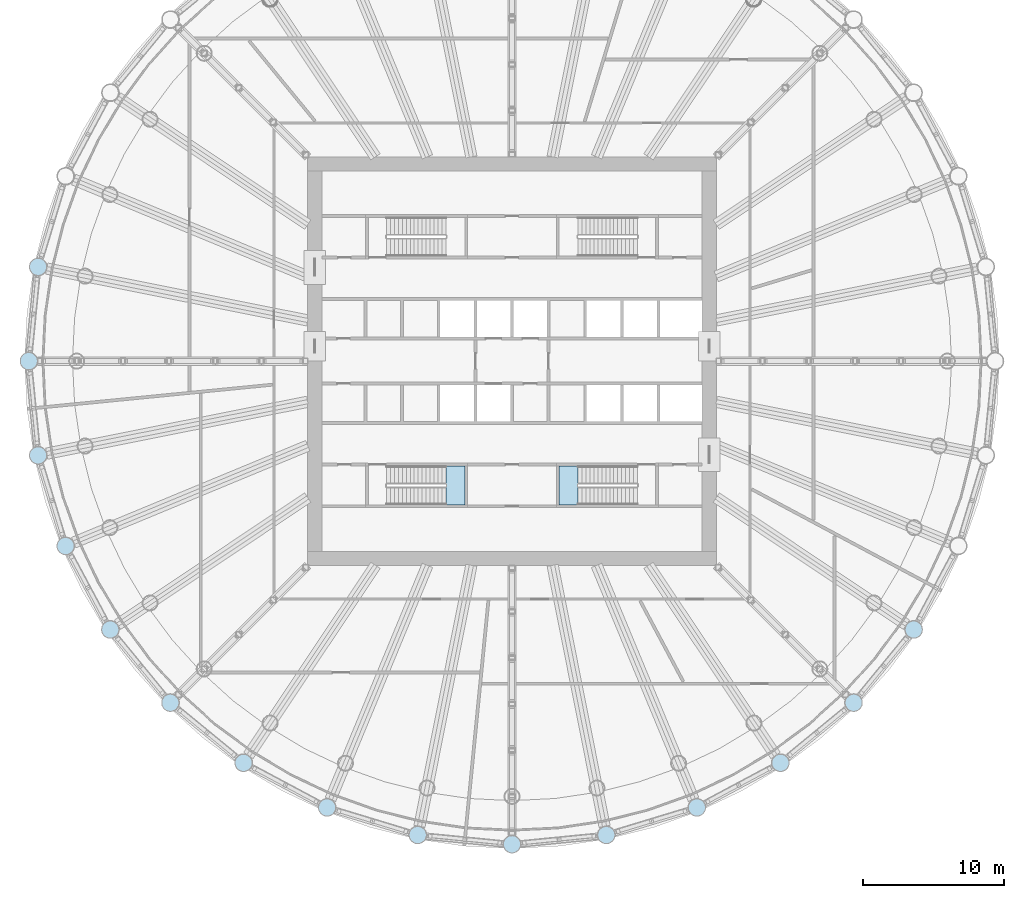
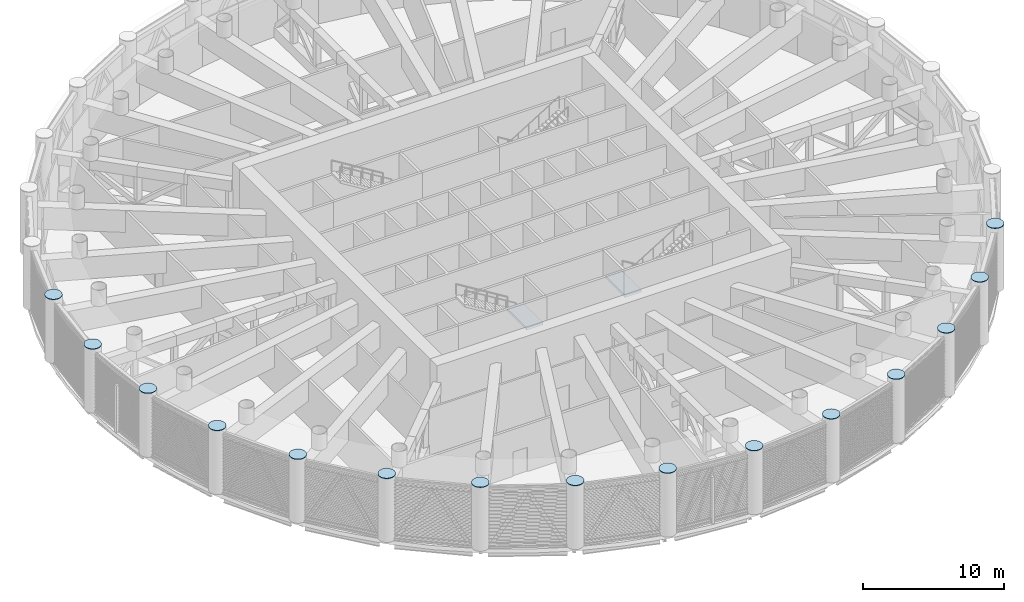
# One storey, part 9 of 29: 15 plates, 2 slabs, 2 elements without a shape of their own.
"""IFC4 building model written with IfcOpenShell, lengths in metres."""

from ifc_helpers import new_model, si_unit, direction, frame, origin, place, context, subcontext, project, spatial, polyline, outline, extrude, material, layer, layer_set, type_object, element, aggregate, save


model = new_model("IFC4")

# Units and contexts
model_context = context("Model", 3, precision=1e-05, world=origin(), true_north=direction((0.0, 1.0)))
body_context = subcontext(model_context, "Body", "Model", "MODEL_VIEW")
ifc_project = project(units=[si_unit("LENGTHUNIT", "METRE"), si_unit("AREAUNIT", "SQUARE_METRE"), si_unit("VOLUMEUNIT", "CUBIC_METRE"), si_unit("PLANEANGLEUNIT", "RADIAN"), si_unit("MASSUNIT", "GRAM", prefix="KILO")], contexts=[model_context])

# Site, building, storey
site_placement = place(None, origin())
site = spatial("IfcSite", under=ifc_project, at=site_placement, CompositionType="ELEMENT")
building_placement = place(site_placement, origin())
building = spatial("IfcBuilding", under=site, at=building_placement, Name="Corvane Civic Tower", CompositionType="ELEMENT")
storey_placement = place(building_placement, frame((0.0, 0.0, 138.5)))
storey = spatial("IfcBuildingStorey", under=building, at=storey_placement, Name="L32", CompositionType="ELEMENT", Elevation=138.5)

# Plates
ifc_material_1 = material(Name="Steel ASTM A572 Gr 50", Category="steel")
ifc_layer_1 = layer(ifc_material_1, 0.050048828125)
ifc_layer_set_1 = layer_set([ifc_layer_1], Name="Steel ASTM A572 Gr 50")
plate_type = type_object("IfcPlateType", Name="COLUMN CAP PLATE 50", PredefinedType="SHEET", material=ifc_layer_set_1)
plate_1_placement = place(storey_placement, frame((0.0, 0.0, 5.5)))
element("IfcPlate", 1, at=plate_1_placement, inside=storey, type_object=plate_type, Name="PL-L32-cap-B12", PredefinedType="SHEET", context=body_context, shape_type="SweptSolid", body=[
    extrude(outline(polyline([(29.144287109375, -19.05615234375), (29.138916015625, -18.974609375), (29.123046875, -18.894287109375), (29.0966796875, -18.81689453125), (29.060546875, -18.74365234375), (29.01513671875, -18.67578125), (28.961181640625, -18.6142578125), (28.89990234375, -18.560302734375), (28.831787109375, -18.514892578125), (28.758544921875, -18.478759765625), (28.680908203125, -18.452392578125), (28.600830078125, -18.4365234375), (28.519287109375, -18.43115234375), (28.437744140625, -18.4365234375), (28.357421875, -18.452392578125), (28.280029296875, -18.478759765625), (28.206787109375, -18.514892578125), (28.138916015625, -18.560302734375), (28.077392578125, -18.6142578125), (28.0234375, -18.67578125), (27.97802734375, -18.74365234375), (27.94189453125, -18.81689453125), (27.91552734375, -18.894287109375), (27.899658203125, -18.974609375), (27.894287109375, -19.05615234375), (27.899658203125, -19.1376953125), (27.91552734375, -19.218017578125), (27.94189453125, -19.29541015625), (27.97802734375, -19.36865234375), (28.0234375, -19.4365234375), (28.077392578125, -19.498046875), (28.138916015625, -19.552001953125), (28.206787109375, -19.597412109375), (28.280029296875, -19.633544921875), (28.357421875, -19.659912109375), (28.437744140625, -19.67578125), (28.519287109375, -19.68115234375), (28.600830078125, -19.67578125), (28.680908203125, -19.659912109375), (28.758544921875, -19.633544921875), (28.831787109375, -19.597412109375), (28.89990234375, -19.552001953125), (28.961181640625, -19.498046875), (29.01513671875, -19.4365234375), (29.060546875, -19.36865234375), (29.0966796875, -19.29541015625), (29.123046875, -19.218017578125), (29.138916015625, -19.1376953125), (29.144287109375, -19.05615234375)])), origin(), (0.0, 0.0, 1.0), 0.050048828125),
])
plate_2_placement = place(storey_placement, frame((0.0, 0.0, 5.5)))
element("IfcPlate", 2, at=plate_2_placement, inside=storey, type_object=plate_type, Name="PL-L32-cap-B13", PredefinedType="SHEET", context=body_context, shape_type="SweptSolid", body=[
    extrude(outline(polyline([(24.878662109375, -24.253662109375), (24.873291015625, -24.172119140625), (24.857421875, -24.091796875), (24.8310546875, -24.014404296875), (24.794921875, -23.941162109375), (24.74951171875, -23.873291015625), (24.695556640625, -23.811767578125), (24.634033203125, -23.7578125), (24.566162109375, -23.71240234375), (24.492919921875, -23.67626953125), (24.415283203125, -23.64990234375), (24.335205078125, -23.634033203125), (24.253662109375, -23.628662109375), (24.172119140625, -23.634033203125), (24.091796875, -23.64990234375), (24.014404296875, -23.67626953125), (23.941162109375, -23.71240234375), (23.873291015625, -23.7578125), (23.811767578125, -23.811767578125), (23.7578125, -23.873291015625), (23.71240234375, -23.941162109375), (23.67626953125, -24.014404296875), (23.64990234375, -24.091796875), (23.634033203125, -24.172119140625), (23.628662109375, -24.253662109375), (23.634033203125, -24.335205078125), (23.64990234375, -24.415283203125), (23.67626953125, -24.492919921875), (23.71240234375, -24.566162109375), (23.7578125, -24.634033203125), (23.811767578125, -24.695556640625), (23.873291015625, -24.74951171875), (23.941162109375, -24.794921875), (24.014404296875, -24.8310546875), (24.091796875, -24.857421875), (24.172119140625, -24.873291015625), (24.253662109375, -24.878662109375), (24.335205078125, -24.873291015625), (24.415283203125, -24.857421875), (24.492919921875, -24.8310546875), (24.566162109375, -24.794921875), (24.634033203125, -24.74951171875), (24.695556640625, -24.695556640625), (24.74951171875, -24.634033203125), (24.794921875, -24.566162109375), (24.8310546875, -24.492919921875), (24.857421875, -24.415283203125), (24.873291015625, -24.335205078125), (24.878662109375, -24.253662109375)])), origin(), (0.0, 0.0, 1.0), 0.050048828125),
])
plate_3_placement = place(storey_placement, frame((0.0, 0.0, 5.5)))
element("IfcPlate", 3, at=plate_3_placement, inside=storey, type_object=plate_type, Name="PL-L32-cap-B14", PredefinedType="SHEET", context=body_context, shape_type="SweptSolid", body=[
    extrude(outline(polyline([(19.68115234375, -28.519287109375), (19.67578125, -28.437744140625), (19.659912109375, -28.357421875), (19.633544921875, -28.280029296875), (19.597412109375, -28.206787109375), (19.552001953125, -28.138916015625), (19.498046875, -28.077392578125), (19.4365234375, -28.0234375), (19.36865234375, -27.97802734375), (19.29541015625, -27.94189453125), (19.218017578125, -27.91552734375), (19.1376953125, -27.899658203125), (19.05615234375, -27.894287109375), (18.974609375, -27.899658203125), (18.894287109375, -27.91552734375), (18.81689453125, -27.94189453125), (18.74365234375, -27.97802734375), (18.67578125, -28.0234375), (18.6142578125, -28.077392578125), (18.560302734375, -28.138916015625), (18.514892578125, -28.206787109375), (18.478759765625, -28.280029296875), (18.452392578125, -28.357421875), (18.4365234375, -28.437744140625), (18.43115234375, -28.519287109375), (18.4365234375, -28.600830078125), (18.452392578125, -28.680908203125), (18.478759765625, -28.758544921875), (18.514892578125, -28.831787109375), (18.560302734375, -28.89990234375), (18.6142578125, -28.961181640625), (18.67578125, -29.01513671875), (18.74365234375, -29.060546875), (18.81689453125, -29.0966796875), (18.894287109375, -29.123046875), (18.974609375, -29.138916015625), (19.05615234375, -29.144287109375), (19.1376953125, -29.138916015625), (19.218017578125, -29.123046875), (19.29541015625, -29.0966796875), (19.36865234375, -29.060546875), (19.4365234375, -29.01513671875), (19.498046875, -28.961181640625), (19.552001953125, -28.89990234375), (19.597412109375, -28.831787109375), (19.633544921875, -28.758544921875), (19.659912109375, -28.680908203125), (19.67578125, -28.600830078125), (19.68115234375, -28.519287109375)])), origin(), (0.0, 0.0, 1.0), 0.050048828125),
])
plate_4_placement = place(storey_placement, frame((0.0, 0.0, 5.5)))
element("IfcPlate", 4, at=plate_4_placement, inside=storey, type_object=plate_type, Name="PL-L32-cap-B15", PredefinedType="SHEET", context=body_context, shape_type="SweptSolid", body=[
    extrude(outline(polyline([(13.7509765625, -31.68896484375), (13.74560546875, -31.607421875), (13.729736328125, -31.527099609375), (13.703369140625, -31.44970703125), (13.667236328125, -31.37646484375), (13.621826171875, -31.30859375), (13.56787109375, -31.2470703125), (13.506591796875, -31.193115234375), (13.4384765625, -31.147705078125), (13.365234375, -31.111572265625), (13.28759765625, -31.085205078125), (13.20751953125, -31.0693359375), (13.1259765625, -31.06396484375), (13.04443359375, -31.0693359375), (12.964111328125, -31.085205078125), (12.88671875, -31.111572265625), (12.8134765625, -31.147705078125), (12.74560546875, -31.193115234375), (12.68408203125, -31.2470703125), (12.630126953125, -31.30859375), (12.584716796875, -31.37646484375), (12.548583984375, -31.44970703125), (12.522216796875, -31.527099609375), (12.50634765625, -31.607421875), (12.5009765625, -31.68896484375), (12.50634765625, -31.7705078125), (12.522216796875, -31.8505859375), (12.548583984375, -31.927978515625), (12.584716796875, -32.00146484375), (12.630126953125, -32.0693359375), (12.68408203125, -32.130859375), (12.74560546875, -32.184814453125), (12.8134765625, -32.230224609375), (12.88671875, -32.266357421875), (12.964111328125, -32.292724609375), (13.04443359375, -32.30859375), (13.1259765625, -32.31396484375), (13.20751953125, -32.30859375), (13.28759765625, -32.292724609375), (13.365234375, -32.266357421875), (13.4384765625, -32.230224609375), (13.506591796875, -32.184814453125), (13.56787109375, -32.130859375), (13.621826171875, -32.0693359375), (13.667236328125, -32.00146484375), (13.703369140625, -31.927978515625), (13.729736328125, -31.8505859375), (13.74560546875, -31.7705078125), (13.7509765625, -31.68896484375)])), origin(), (0.0, 0.0, 1.0), 0.050048828125),
])
plate_5_placement = place(storey_placement, frame((0.0, 0.0, 5.5)))
element("IfcPlate", 5, at=plate_5_placement, inside=storey, type_object=plate_type, Name="PL-L32-cap-B16", PredefinedType="SHEET", context=body_context, shape_type="SweptSolid", body=[
    extrude(outline(polyline([(7.316650390625, -33.640869140625), (7.311279296875, -33.559326171875), (7.29541015625, -33.47900390625), (7.26904296875, -33.401611328125), (7.23291015625, -33.328369140625), (7.1875, -33.260498046875), (7.133544921875, -33.198974609375), (7.072021484375, -33.14501953125), (7.004150390625, -33.099609375), (6.930908203125, -33.0634765625), (6.853515625, -33.037109375), (6.773193359375, -33.021240234375), (6.691650390625, -33.015869140625), (6.610107421875, -33.021240234375), (6.52978515625, -33.037109375), (6.452392578125, -33.0634765625), (6.379150390625, -33.099609375), (6.311279296875, -33.14501953125), (6.249755859375, -33.198974609375), (6.19580078125, -33.260498046875), (6.150390625, -33.328369140625), (6.1142578125, -33.401611328125), (6.087890625, -33.47900390625), (6.072021484375, -33.559326171875), (6.066650390625, -33.640869140625), (6.072021484375, -33.722412109375), (6.087890625, -33.802490234375), (6.1142578125, -33.8798828125), (6.150390625, -33.953369140625), (6.19580078125, -34.021240234375), (6.249755859375, -34.082763671875), (6.311279296875, -34.13671875), (6.379150390625, -34.18212890625), (6.452392578125, -34.21826171875), (6.52978515625, -34.24462890625), (6.610107421875, -34.260498046875), (6.691650390625, -34.265869140625), (6.773193359375, -34.260498046875), (6.853515625, -34.24462890625), (6.930908203125, -34.21826171875), (7.004150390625, -34.18212890625), (7.072021484375, -34.13671875), (7.133544921875, -34.082763671875), (7.1875, -34.021240234375), (7.23291015625, -33.953369140625), (7.26904296875, -33.8798828125), (7.29541015625, -33.802490234375), (7.311279296875, -33.722412109375), (7.316650390625, -33.640869140625)])), origin(), (0.0, 0.0, 1.0), 0.050048828125),
])
plate_6_placement = place(storey_placement, frame((0.0, 0.0, 5.5)))
element("IfcPlate", 6, at=plate_6_placement, inside=storey, type_object=plate_type, Name="PL-L32-cap-B17", PredefinedType="SHEET", context=body_context, shape_type="SweptSolid", body=[
    extrude(outline(polyline([(0.625, -34.300048828125), (0.61962890625, -34.218505859375), (0.603759765625, -34.13818359375), (0.577392578125, -34.060791015625), (0.541259765625, -33.987548828125), (0.495849609375, -33.919677734375), (0.44189453125, -33.858154296875), (0.380615234375, -33.80419921875), (0.3125, -33.7587890625), (0.2392578125, -33.72265625), (0.161865234375, -33.6962890625), (0.08154296875, -33.680419921875), (0.0, -33.675048828125), (-0.08154296875, -33.680419921875), (-0.161865234375, -33.6962890625), (-0.2392578125, -33.72265625), (-0.3125, -33.7587890625), (-0.380615234375, -33.80419921875), (-0.44189453125, -33.858154296875), (-0.495849609375, -33.919677734375), (-0.541259765625, -33.987548828125), (-0.577392578125, -34.060791015625), (-0.603759765625, -34.13818359375), (-0.61962890625, -34.218505859375), (-0.625, -34.300048828125), (-0.61962890625, -34.381591796875), (-0.603759765625, -34.4619140625), (-0.577392578125, -34.539306640625), (-0.541259765625, -34.612548828125), (-0.495849609375, -34.680419921875), (-0.44189453125, -34.741943359375), (-0.380615234375, -34.7958984375), (-0.3125, -34.84130859375), (-0.2392578125, -34.87744140625), (-0.161865234375, -34.90380859375), (-0.08154296875, -34.919677734375), (0.0, -34.925048828125), (0.08154296875, -34.919677734375), (0.161865234375, -34.90380859375), (0.2392578125, -34.87744140625), (0.3125, -34.84130859375), (0.380615234375, -34.7958984375), (0.44189453125, -34.741943359375), (0.495849609375, -34.680419921875), (0.541259765625, -34.612548828125), (0.577392578125, -34.539306640625), (0.603759765625, -34.4619140625), (0.61962890625, -34.381591796875), (0.625, -34.300048828125)])), origin(), (0.0, 0.0, 1.0), 0.050048828125),
])
plate_7_placement = place(storey_placement, frame((0.0, 0.0, 5.5)))
element("IfcPlate", 7, at=plate_7_placement, inside=storey, type_object=plate_type, Name="PL-L32-cap-B18", PredefinedType="SHEET", context=body_context, shape_type="SweptSolid", body=[
    extrude(outline(polyline([(-6.066650390625, -33.640869140625), (-6.072021484375, -33.559326171875), (-6.087890625, -33.47900390625), (-6.1142578125, -33.401611328125), (-6.150390625, -33.328369140625), (-6.19580078125, -33.260498046875), (-6.249755859375, -33.198974609375), (-6.311279296875, -33.14501953125), (-6.379150390625, -33.099609375), (-6.452392578125, -33.0634765625), (-6.52978515625, -33.037109375), (-6.610107421875, -33.021240234375), (-6.691650390625, -33.015869140625), (-6.773193359375, -33.021240234375), (-6.853515625, -33.037109375), (-6.930908203125, -33.0634765625), (-7.004150390625, -33.099609375), (-7.072021484375, -33.14501953125), (-7.133544921875, -33.198974609375), (-7.1875, -33.260498046875), (-7.23291015625, -33.328369140625), (-7.26904296875, -33.401611328125), (-7.29541015625, -33.47900390625), (-7.311279296875, -33.559326171875), (-7.316650390625, -33.640869140625), (-7.311279296875, -33.722412109375), (-7.29541015625, -33.802490234375), (-7.26904296875, -33.8798828125), (-7.23291015625, -33.953369140625), (-7.1875, -34.021240234375), (-7.133544921875, -34.082763671875), (-7.072021484375, -34.13671875), (-7.004150390625, -34.18212890625), (-6.930908203125, -34.21826171875), (-6.853515625, -34.24462890625), (-6.773193359375, -34.260498046875), (-6.691650390625, -34.265869140625), (-6.610107421875, -34.260498046875), (-6.52978515625, -34.24462890625), (-6.452392578125, -34.21826171875), (-6.379150390625, -34.18212890625), (-6.311279296875, -34.13671875), (-6.249755859375, -34.082763671875), (-6.19580078125, -34.021240234375), (-6.150390625, -33.953369140625), (-6.1142578125, -33.8798828125), (-6.087890625, -33.802490234375), (-6.072021484375, -33.722412109375), (-6.066650390625, -33.640869140625)])), origin(), (0.0, 0.0, 1.0), 0.050048828125),
])
plate_8_placement = place(storey_placement, frame((0.0, 0.0, 5.5)))
element("IfcPlate", 8, at=plate_8_placement, inside=storey, type_object=plate_type, Name="PL-L32-cap-B19", PredefinedType="SHEET", context=body_context, shape_type="SweptSolid", body=[
    extrude(outline(polyline([(-12.5009765625, -31.68896484375), (-12.50634765625, -31.607421875), (-12.522216796875, -31.527099609375), (-12.548583984375, -31.44970703125), (-12.584716796875, -31.37646484375), (-12.630126953125, -31.30859375), (-12.68408203125, -31.2470703125), (-12.74560546875, -31.193115234375), (-12.8134765625, -31.147705078125), (-12.88671875, -31.111572265625), (-12.964111328125, -31.085205078125), (-13.04443359375, -31.0693359375), (-13.1259765625, -31.06396484375), (-13.20751953125, -31.0693359375), (-13.28759765625, -31.085205078125), (-13.365234375, -31.111572265625), (-13.4384765625, -31.147705078125), (-13.506591796875, -31.193115234375), (-13.56787109375, -31.2470703125), (-13.621826171875, -31.30859375), (-13.667236328125, -31.37646484375), (-13.703369140625, -31.44970703125), (-13.729736328125, -31.527099609375), (-13.74560546875, -31.607421875), (-13.7509765625, -31.68896484375), (-13.74560546875, -31.7705078125), (-13.729736328125, -31.8505859375), (-13.703369140625, -31.927978515625), (-13.667236328125, -32.00146484375), (-13.621826171875, -32.0693359375), (-13.56787109375, -32.130859375), (-13.506591796875, -32.184814453125), (-13.4384765625, -32.230224609375), (-13.365234375, -32.266357421875), (-13.28759765625, -32.292724609375), (-13.20751953125, -32.30859375), (-13.1259765625, -32.31396484375), (-13.04443359375, -32.30859375), (-12.964111328125, -32.292724609375), (-12.88671875, -32.266357421875), (-12.8134765625, -32.230224609375), (-12.74560546875, -32.184814453125), (-12.68408203125, -32.130859375), (-12.630126953125, -32.0693359375), (-12.584716796875, -32.00146484375), (-12.548583984375, -31.927978515625), (-12.522216796875, -31.8505859375), (-12.50634765625, -31.7705078125), (-12.5009765625, -31.68896484375)])), origin(), (0.0, 0.0, 1.0), 0.050048828125),
])
plate_9_placement = place(storey_placement, frame((0.0, 0.0, 5.5)))
element("IfcPlate", 9, at=plate_9_placement, inside=storey, type_object=plate_type, Name="PL-L32-cap-B20", PredefinedType="SHEET", context=body_context, shape_type="SweptSolid", body=[
    extrude(outline(polyline([(-18.43115234375, -28.519287109375), (-18.4365234375, -28.437744140625), (-18.452392578125, -28.357421875), (-18.478759765625, -28.280029296875), (-18.514892578125, -28.206787109375), (-18.560302734375, -28.138916015625), (-18.6142578125, -28.077392578125), (-18.67578125, -28.0234375), (-18.74365234375, -27.97802734375), (-18.81689453125, -27.94189453125), (-18.894287109375, -27.91552734375), (-18.974609375, -27.899658203125), (-19.05615234375, -27.894287109375), (-19.1376953125, -27.899658203125), (-19.218017578125, -27.91552734375), (-19.29541015625, -27.94189453125), (-19.36865234375, -27.97802734375), (-19.4365234375, -28.0234375), (-19.498046875, -28.077392578125), (-19.552001953125, -28.138916015625), (-19.597412109375, -28.206787109375), (-19.633544921875, -28.280029296875), (-19.659912109375, -28.357421875), (-19.67578125, -28.437744140625), (-19.68115234375, -28.519287109375), (-19.67578125, -28.600830078125), (-19.659912109375, -28.680908203125), (-19.633544921875, -28.758544921875), (-19.597412109375, -28.831787109375), (-19.552001953125, -28.89990234375), (-19.498046875, -28.961181640625), (-19.4365234375, -29.01513671875), (-19.36865234375, -29.060546875), (-19.29541015625, -29.0966796875), (-19.218017578125, -29.123046875), (-19.1376953125, -29.138916015625), (-19.05615234375, -29.144287109375), (-18.974609375, -29.138916015625), (-18.894287109375, -29.123046875), (-18.81689453125, -29.0966796875), (-18.74365234375, -29.060546875), (-18.67578125, -29.01513671875), (-18.6142578125, -28.961181640625), (-18.560302734375, -28.89990234375), (-18.514892578125, -28.831787109375), (-18.478759765625, -28.758544921875), (-18.452392578125, -28.680908203125), (-18.4365234375, -28.600830078125), (-18.43115234375, -28.519287109375)])), origin(), (0.0, 0.0, 1.0), 0.050048828125),
])
plate_10_placement = place(storey_placement, frame((0.0, 0.0, 5.5)))
element("IfcPlate", 10, at=plate_10_placement, inside=storey, type_object=plate_type, Name="PL-L32-cap-B21", PredefinedType="SHEET", context=body_context, shape_type="SweptSolid", body=[
    extrude(outline(polyline([(-23.628662109375, -24.253662109375), (-23.634033203125, -24.172119140625), (-23.64990234375, -24.091796875), (-23.67626953125, -24.014404296875), (-23.71240234375, -23.941162109375), (-23.7578125, -23.873291015625), (-23.811767578125, -23.811767578125), (-23.873291015625, -23.7578125), (-23.941162109375, -23.71240234375), (-24.014404296875, -23.67626953125), (-24.091796875, -23.64990234375), (-24.172119140625, -23.634033203125), (-24.253662109375, -23.628662109375), (-24.335205078125, -23.634033203125), (-24.415283203125, -23.64990234375), (-24.492919921875, -23.67626953125), (-24.566162109375, -23.71240234375), (-24.634033203125, -23.7578125), (-24.695556640625, -23.811767578125), (-24.74951171875, -23.873291015625), (-24.794921875, -23.941162109375), (-24.8310546875, -24.014404296875), (-24.857421875, -24.091796875), (-24.873291015625, -24.172119140625), (-24.878662109375, -24.253662109375), (-24.873291015625, -24.335205078125), (-24.857421875, -24.415283203125), (-24.8310546875, -24.492919921875), (-24.794921875, -24.566162109375), (-24.74951171875, -24.634033203125), (-24.695556640625, -24.695556640625), (-24.634033203125, -24.74951171875), (-24.566162109375, -24.794921875), (-24.492919921875, -24.8310546875), (-24.415283203125, -24.857421875), (-24.335205078125, -24.873291015625), (-24.253662109375, -24.878662109375), (-24.172119140625, -24.873291015625), (-24.091796875, -24.857421875), (-24.014404296875, -24.8310546875), (-23.941162109375, -24.794921875), (-23.873291015625, -24.74951171875), (-23.811767578125, -24.695556640625), (-23.7578125, -24.634033203125), (-23.71240234375, -24.566162109375), (-23.67626953125, -24.492919921875), (-23.64990234375, -24.415283203125), (-23.634033203125, -24.335205078125), (-23.628662109375, -24.253662109375)])), origin(), (0.0, 0.0, 1.0), 0.050048828125),
])
plate_11_placement = place(storey_placement, frame((0.0, 0.0, 5.5)))
element("IfcPlate", 11, at=plate_11_placement, inside=storey, type_object=plate_type, Name="PL-L32-cap-B22", PredefinedType="SHEET", context=body_context, shape_type="SweptSolid", body=[
    extrude(outline(polyline([(-27.894287109375, -19.05615234375), (-27.899658203125, -18.974609375), (-27.91552734375, -18.894287109375), (-27.94189453125, -18.81689453125), (-27.97802734375, -18.74365234375), (-28.0234375, -18.67578125), (-28.077392578125, -18.6142578125), (-28.138916015625, -18.560302734375), (-28.206787109375, -18.514892578125), (-28.280029296875, -18.478759765625), (-28.357421875, -18.452392578125), (-28.437744140625, -18.4365234375), (-28.519287109375, -18.43115234375), (-28.600830078125, -18.4365234375), (-28.680908203125, -18.452392578125), (-28.758544921875, -18.478759765625), (-28.831787109375, -18.514892578125), (-28.89990234375, -18.560302734375), (-28.961181640625, -18.6142578125), (-29.01513671875, -18.67578125), (-29.060546875, -18.74365234375), (-29.0966796875, -18.81689453125), (-29.123046875, -18.894287109375), (-29.138916015625, -18.974609375), (-29.144287109375, -19.05615234375), (-29.138916015625, -19.1376953125), (-29.123046875, -19.218017578125), (-29.0966796875, -19.29541015625), (-29.060546875, -19.36865234375), (-29.01513671875, -19.4365234375), (-28.961181640625, -19.498046875), (-28.89990234375, -19.552001953125), (-28.831787109375, -19.597412109375), (-28.758544921875, -19.633544921875), (-28.680908203125, -19.659912109375), (-28.600830078125, -19.67578125), (-28.519287109375, -19.68115234375), (-28.437744140625, -19.67578125), (-28.357421875, -19.659912109375), (-28.280029296875, -19.633544921875), (-28.206787109375, -19.597412109375), (-28.138916015625, -19.552001953125), (-28.077392578125, -19.498046875), (-28.0234375, -19.4365234375), (-27.97802734375, -19.36865234375), (-27.94189453125, -19.29541015625), (-27.91552734375, -19.218017578125), (-27.899658203125, -19.1376953125), (-27.894287109375, -19.05615234375)])), origin(), (0.0, 0.0, 1.0), 0.050048828125),
])
plate_12_placement = place(storey_placement, frame((0.0, 0.0, 5.5)))
element("IfcPlate", 12, at=plate_12_placement, inside=storey, type_object=plate_type, Name="PL-L32-cap-B23", PredefinedType="SHEET", context=body_context, shape_type="SweptSolid", body=[
    extrude(outline(polyline([(-31.06396484375, -13.1259765625), (-31.0693359375, -13.04443359375), (-31.085205078125, -12.964111328125), (-31.111572265625, -12.88671875), (-31.147705078125, -12.8134765625), (-31.193115234375, -12.74560546875), (-31.2470703125, -12.68408203125), (-31.30859375, -12.630126953125), (-31.37646484375, -12.584716796875), (-31.44970703125, -12.548583984375), (-31.527099609375, -12.522216796875), (-31.607421875, -12.50634765625), (-31.68896484375, -12.5009765625), (-31.7705078125, -12.50634765625), (-31.8505859375, -12.522216796875), (-31.927978515625, -12.548583984375), (-32.00146484375, -12.584716796875), (-32.0693359375, -12.630126953125), (-32.130859375, -12.68408203125), (-32.184814453125, -12.74560546875), (-32.230224609375, -12.8134765625), (-32.266357421875, -12.88671875), (-32.292724609375, -12.964111328125), (-32.30859375, -13.04443359375), (-32.31396484375, -13.1259765625), (-32.30859375, -13.20751953125), (-32.292724609375, -13.28759765625), (-32.266357421875, -13.365234375), (-32.230224609375, -13.4384765625), (-32.184814453125, -13.506591796875), (-32.130859375, -13.56787109375), (-32.0693359375, -13.621826171875), (-32.00146484375, -13.667236328125), (-31.927978515625, -13.703369140625), (-31.8505859375, -13.729736328125), (-31.7705078125, -13.74560546875), (-31.68896484375, -13.7509765625), (-31.607421875, -13.74560546875), (-31.527099609375, -13.729736328125), (-31.44970703125, -13.703369140625), (-31.37646484375, -13.667236328125), (-31.30859375, -13.621826171875), (-31.2470703125, -13.56787109375), (-31.193115234375, -13.506591796875), (-31.147705078125, -13.4384765625), (-31.111572265625, -13.365234375), (-31.085205078125, -13.28759765625), (-31.0693359375, -13.20751953125), (-31.06396484375, -13.1259765625)])), origin(), (0.0, 0.0, 1.0), 0.050048828125),
])
plate_13_placement = place(storey_placement, frame((0.0, 0.0, 5.5)))
element("IfcPlate", 13, at=plate_13_placement, inside=storey, type_object=plate_type, Name="PL-L32-cap-B24", PredefinedType="SHEET", context=body_context, shape_type="SweptSolid", body=[
    extrude(outline(polyline([(-33.015869140625, -6.691650390625), (-33.021240234375, -6.610107421875), (-33.037109375, -6.52978515625), (-33.0634765625, -6.452392578125), (-33.099609375, -6.379150390625), (-33.14501953125, -6.311279296875), (-33.198974609375, -6.249755859375), (-33.260498046875, -6.19580078125), (-33.328369140625, -6.150390625), (-33.401611328125, -6.1142578125), (-33.47900390625, -6.087890625), (-33.559326171875, -6.072021484375), (-33.640869140625, -6.066650390625), (-33.722412109375, -6.072021484375), (-33.802490234375, -6.087890625), (-33.8798828125, -6.1142578125), (-33.953369140625, -6.150390625), (-34.021240234375, -6.19580078125), (-34.082763671875, -6.249755859375), (-34.13671875, -6.311279296875), (-34.18212890625, -6.379150390625), (-34.21826171875, -6.452392578125), (-34.24462890625, -6.52978515625), (-34.260498046875, -6.610107421875), (-34.265869140625, -6.691650390625), (-34.260498046875, -6.773193359375), (-34.24462890625, -6.853515625), (-34.21826171875, -6.930908203125), (-34.18212890625, -7.004150390625), (-34.13671875, -7.072021484375), (-34.082763671875, -7.133544921875), (-34.021240234375, -7.1875), (-33.953369140625, -7.23291015625), (-33.8798828125, -7.26904296875), (-33.802490234375, -7.29541015625), (-33.722412109375, -7.311279296875), (-33.640869140625, -7.316650390625), (-33.559326171875, -7.311279296875), (-33.47900390625, -7.29541015625), (-33.401611328125, -7.26904296875), (-33.328369140625, -7.23291015625), (-33.260498046875, -7.1875), (-33.198974609375, -7.133544921875), (-33.14501953125, -7.072021484375), (-33.099609375, -7.004150390625), (-33.0634765625, -6.930908203125), (-33.037109375, -6.853515625), (-33.021240234375, -6.773193359375), (-33.015869140625, -6.691650390625)])), origin(), (0.0, 0.0, 1.0), 0.050048828125),
])
plate_14_placement = place(storey_placement, frame((0.0, 0.0, 5.5)))
element("IfcPlate", 14, at=plate_14_placement, inside=storey, type_object=plate_type, Name="PL-L32-cap-B25", PredefinedType="SHEET", context=body_context, shape_type="SweptSolid", body=[
    extrude(outline(polyline([(-33.675048828125, 0.0), (-33.680419921875, 0.08154296875), (-33.6962890625, 0.161865234375), (-33.72265625, 0.2392578125), (-33.7587890625, 0.3125), (-33.80419921875, 0.380615234375), (-33.858154296875, 0.44189453125), (-33.919677734375, 0.495849609375), (-33.987548828125, 0.541259765625), (-34.060791015625, 0.577392578125), (-34.13818359375, 0.603759765625), (-34.218505859375, 0.61962890625), (-34.300048828125, 0.625), (-34.381591796875, 0.61962890625), (-34.4619140625, 0.603759765625), (-34.539306640625, 0.577392578125), (-34.612548828125, 0.541259765625), (-34.680419921875, 0.495849609375), (-34.741943359375, 0.44189453125), (-34.7958984375, 0.380615234375), (-34.84130859375, 0.3125), (-34.87744140625, 0.2392578125), (-34.90380859375, 0.161865234375), (-34.919677734375, 0.08154296875), (-34.925048828125, 0.0), (-34.919677734375, -0.08154296875), (-34.90380859375, -0.161865234375), (-34.87744140625, -0.2392578125), (-34.84130859375, -0.3125), (-34.7958984375, -0.380615234375), (-34.741943359375, -0.44189453125), (-34.680419921875, -0.495849609375), (-34.612548828125, -0.541259765625), (-34.539306640625, -0.577392578125), (-34.4619140625, -0.603759765625), (-34.381591796875, -0.61962890625), (-34.300048828125, -0.625), (-34.218505859375, -0.61962890625), (-34.13818359375, -0.603759765625), (-34.060791015625, -0.577392578125), (-33.987548828125, -0.541259765625), (-33.919677734375, -0.495849609375), (-33.858154296875, -0.44189453125), (-33.80419921875, -0.380615234375), (-33.7587890625, -0.3125), (-33.72265625, -0.2392578125), (-33.6962890625, -0.161865234375), (-33.680419921875, -0.08154296875), (-33.675048828125, 0.0)])), origin(), (0.0, 0.0, 1.0), 0.050048828125),
])
plate_15_placement = place(storey_placement, frame((0.0, 0.0, 5.5)))
element("IfcPlate", 15, at=plate_15_placement, inside=storey, type_object=plate_type, Name="PL-L32-cap-B26", PredefinedType="SHEET", context=body_context, shape_type="SweptSolid", body=[
    extrude(outline(polyline([(-33.015869140625, 6.691650390625), (-33.021240234375, 6.773193359375), (-33.037109375, 6.853515625), (-33.0634765625, 6.930908203125), (-33.099609375, 7.004150390625), (-33.14501953125, 7.072021484375), (-33.198974609375, 7.133544921875), (-33.260498046875, 7.1875), (-33.328369140625, 7.23291015625), (-33.401611328125, 7.26904296875), (-33.47900390625, 7.29541015625), (-33.559326171875, 7.311279296875), (-33.640869140625, 7.316650390625), (-33.722412109375, 7.311279296875), (-33.802490234375, 7.29541015625), (-33.8798828125, 7.26904296875), (-33.953369140625, 7.23291015625), (-34.021240234375, 7.1875), (-34.082763671875, 7.133544921875), (-34.13671875, 7.072021484375), (-34.18212890625, 7.004150390625), (-34.21826171875, 6.930908203125), (-34.24462890625, 6.853515625), (-34.260498046875, 6.773193359375), (-34.265869140625, 6.691650390625), (-34.260498046875, 6.610107421875), (-34.24462890625, 6.52978515625), (-34.21826171875, 6.452392578125), (-34.18212890625, 6.379150390625), (-34.13671875, 6.311279296875), (-34.082763671875, 6.249755859375), (-34.021240234375, 6.19580078125), (-33.953369140625, 6.150390625), (-33.8798828125, 6.1142578125), (-33.802490234375, 6.087890625), (-33.722412109375, 6.072021484375), (-33.640869140625, 6.066650390625), (-33.559326171875, 6.072021484375), (-33.47900390625, 6.087890625), (-33.401611328125, 6.1142578125), (-33.328369140625, 6.150390625), (-33.260498046875, 6.19580078125), (-33.198974609375, 6.249755859375), (-33.14501953125, 6.311279296875), (-33.099609375, 6.379150390625), (-33.0634765625, 6.452392578125), (-33.037109375, 6.52978515625), (-33.021240234375, 6.610107421875), (-33.015869140625, 6.691650390625)])), origin(), (0.0, 0.0, 1.0), 0.050048828125),
])

# Stair, slab
ifc_material_2 = material(Name="Concrete C40/50", Category="concrete")
stair_type = type_object("IfcStairType", Name="ST-STAIR-HALFTURN", PredefinedType="HALF_TURN_STAIR", material=ifc_material_2)
stair_1_placement = place(storey_placement, origin())
stair_1 = element("IfcStair", 16, at=stair_1_placement, inside=storey, type_object=stair_type, Name="L32 Exit stair ST2", PredefinedType="HALF_TURN_STAIR")
ifc_material_3 = material(Name="Concrete C40/50", Category="concrete")
ifc_layer_2 = layer(ifc_material_3, 0.199951171875)
ifc_layer_set_2 = layer_set([ifc_layer_2], Name="Concrete C40/50")
slab_type = type_object("IfcSlabType", Name="ST-LANDING-RC", PredefinedType="LANDING", material=ifc_layer_set_2)
slab_1_placement = place(storey_placement, frame((0.0, 0.0, 2.550048828125)))
slab_1 = element("IfcSlab", 17, at=slab_1_placement, type_object=slab_type, Name="ST2 landing 1", PredefinedType="LANDING", context=body_context, shape_type="SweptSolid", body=[
    extrude(outline(polyline([(4.699951171875, -7.449951171875), (3.35009765625, -7.449951171875), (3.35009765625, -10.199951171875), (4.699951171875, -10.199951171875), (4.699951171875, -7.449951171875)])), origin(), (0.0, 0.0, 1.0), 0.199951171875),
])
aggregate(stair_1, [slab_1])

stair_2_placement = place(storey_placement, origin())
stair_2 = element("IfcStair", 18, at=stair_2_placement, inside=storey, type_object=stair_type, Name="L32 Exit stair ST3", PredefinedType="HALF_TURN_STAIR")
slab_2_placement = place(storey_placement, frame((0.0, 0.0, 2.550048828125)))
slab_2 = element("IfcSlab", 19, at=slab_2_placement, type_object=slab_type, Name="ST3 landing 1", PredefinedType="LANDING", context=body_context, shape_type="SweptSolid", body=[
    extrude(outline(polyline([(-4.699951171875, -10.199951171875), (-3.35009765625, -10.199951171875), (-3.35009765625, -7.449951171875), (-4.699951171875, -7.449951171875), (-4.699951171875, -10.199951171875)])), origin(), (0.0, 0.0, 1.0), 0.199951171875),
])
aggregate(stair_2, [slab_2])

save(model, "model.ifc")
